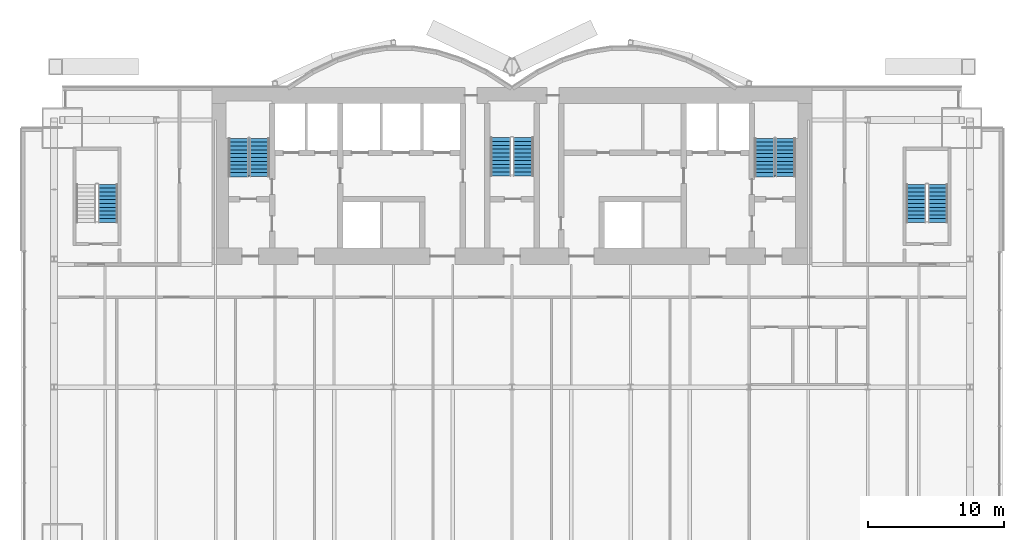
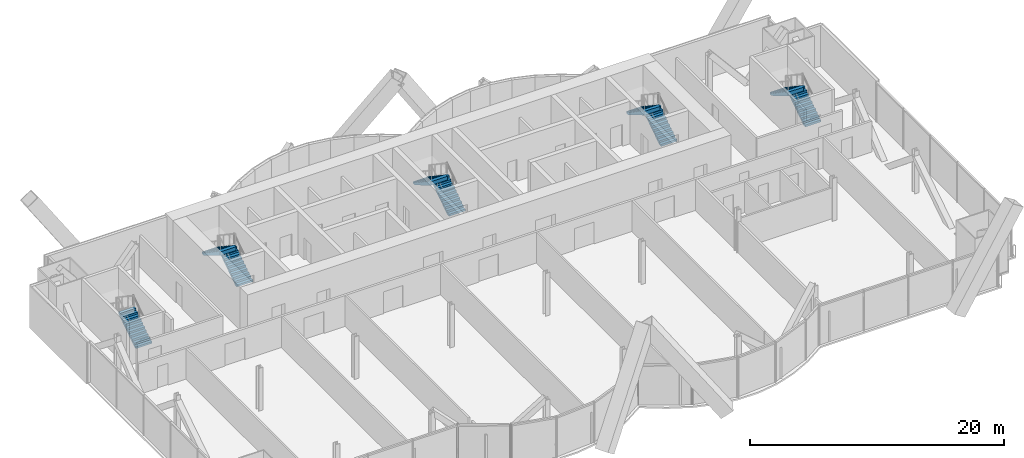
# One storey, part 18 of 21: 9 stair flights, 5 elements without a shape of their own.
"""IFC4 building model written with IfcOpenShell, lengths in metres."""

from ifc_helpers import new_model, si_unit, direction, frame, origin, place, context, subcontext, project, spatial, polyline, outline, extrude, material, type_object, element, aggregate, save


model = new_model("IFC4")

# Units and contexts
model_context = context("Model", 3, precision=1e-05, world=origin(), true_north=direction((0.0, 1.0)))
body_context = subcontext(model_context, "Body", "Model", "MODEL_VIEW")
ifc_project = project(units=[si_unit("LENGTHUNIT", "METRE"), si_unit("AREAUNIT", "SQUARE_METRE"), si_unit("VOLUMEUNIT", "CUBIC_METRE"), si_unit("PLANEANGLEUNIT", "RADIAN"), si_unit("MASSUNIT", "GRAM", prefix="KILO")], contexts=[model_context])

# Site, building, storey
site_placement = place(None, origin())
site = spatial("IfcSite", under=ifc_project, at=site_placement, CompositionType="ELEMENT")
building_placement = place(site_placement, origin())
building = spatial("IfcBuilding", under=site, at=building_placement, Name="Bicima Exchange Tower", CompositionType="ELEMENT")
storey_placement = place(building_placement, frame((0.0, 0.0, 130.89990234375)))
storey = spatial("IfcBuildingStorey", under=building, at=storey_placement, Name="L28", CompositionType="ELEMENT", Elevation=130.89990234375)

# Stair, stair flights
ifc_material = material(Name="Concrete C50/60", Category="concrete")
stair_type_1 = type_object("IfcStairType", Name="Exit stair", PredefinedType="HALF_TURN_STAIR", material=ifc_material)
stair_1_placement = place(storey_placement, origin())
stair_1 = element("IfcStair", 1, at=stair_1_placement, inside=storey, type_object=stair_type_1, Name="L28 West exit stair", PredefinedType="HALF_TURN_STAIR")
stair_flight_type_1 = type_object("IfcStairFlightType", Name="Stair flight RC", PredefinedType="STRAIGHT", material=ifc_material)
stair_flight_1_placement = place(storey_placement, frame((-18.52490234375, -6.550048828125, 0.0), z_axis=(0.0, 0.0, 1.0), x_axis=(0.0, 1.0, 0.0)))
stair_flight_1 = element("IfcStairFlight", 2, at=stair_flight_1_placement, type_object=stair_flight_type_1, Name="ST-W flight 1", NumberOfRisers=11, NumberOfTreads=10, PredefinedType="STRAIGHT", RiserHeight=0.186363636, TreadLength=0.28, context=body_context, shape_type="SweptSolid", body=[
    extrude(outline(polyline([(0.0, 0.0), (0.0, 0.186279296875), (0.280029296875, 0.186279296875), (0.280029296875, 0.372802734375), (0.56005859375, 0.372802734375), (0.56005859375, 0.55908203125), (0.840087890625, 0.55908203125), (0.840087890625, 0.745361328125), (1.1201171875, 0.745361328125), (1.1201171875, 0.931884765625), (1.39990234375, 0.931884765625), (1.39990234375, 1.1181640625), (1.679931640625, 1.1181640625), (1.679931640625, 1.304443359375), (1.9599609375, 1.304443359375), (1.9599609375, 1.490966796875), (2.239990234375, 1.490966796875), (2.239990234375, 1.67724609375), (2.52001953125, 1.67724609375), (2.52001953125, 1.863525390625), (2.800048828125, 1.863525390625), (2.800048828125, 2.050048828125), (2.800048828125, 1.68359375), (0.2705078125, 0.0), (0.0, 0.0)])), frame((0.0, 0.72509765625, 0.0), z_axis=(0.0, -1.0, 0.0), x_axis=(1.0, 0.0, 0.0)), (0.0, 0.0, 1.0), 1.449951171875),
])
stair_flight_2_placement = place(storey_placement, frame((-20.074951171875, -3.75, 2.050048828125), z_axis=(0.0, 0.0, 1.0), x_axis=(0.0, -1.0, 0.0)))
stair_flight_2 = element("IfcStairFlight", 3, at=stair_flight_2_placement, type_object=stair_flight_type_1, Name="ST-W flight 2", NumberOfRisers=11, NumberOfTreads=10, PredefinedType="STRAIGHT", RiserHeight=0.186363636, TreadLength=0.28, context=body_context, shape_type="SweptSolid", body=[
    extrude(outline(polyline([(0.0, 0.0), (0.0, 0.186279296875), (0.280029296875, 0.186279296875), (0.280029296875, 0.372802734375), (0.56005859375, 0.372802734375), (0.56005859375, 0.55908203125), (0.840087890625, 0.55908203125), (0.840087890625, 0.745361328125), (1.1201171875, 0.745361328125), (1.1201171875, 0.931884765625), (1.39990234375, 0.931884765625), (1.39990234375, 1.1181640625), (1.679931640625, 1.1181640625), (1.679931640625, 1.304443359375), (1.9599609375, 1.304443359375), (1.9599609375, 1.490966796875), (2.239990234375, 1.490966796875), (2.239990234375, 1.67724609375), (2.52001953125, 1.67724609375), (2.52001953125, 1.863525390625), (2.800048828125, 1.863525390625), (2.81494140625, 1.863525390625), (2.81494140625, 1.507080078125), (0.2705078125, 0.0), (0.0, 0.0)])), frame((0.0, 0.72509765625, 0.0), z_axis=(0.0, -1.0, 0.0), x_axis=(1.0, 0.0, 0.0)), (0.0, 0.0, 1.0), 1.449951171875),
])
aggregate(stair_1, [stair_flight_1, stair_flight_2])

stair_2_placement = place(storey_placement, origin())
stair_2 = element("IfcStair", 4, at=stair_2_placement, inside=storey, type_object=stair_type_1, Name="L28 East exit stair", PredefinedType="HALF_TURN_STAIR")
stair_flight_3_placement = place(storey_placement, frame((20.074951171875, -6.550048828125, 0.0), z_axis=(0.0, 0.0, 1.0), x_axis=(0.0, 1.0, 0.0)))
stair_flight_3 = element("IfcStairFlight", 5, at=stair_flight_3_placement, type_object=stair_flight_type_1, Name="ST-E flight 1", NumberOfRisers=11, NumberOfTreads=10, PredefinedType="STRAIGHT", RiserHeight=0.186363636, TreadLength=0.28, context=body_context, shape_type="SweptSolid", body=[
    extrude(outline(polyline([(0.0, 0.0), (0.0, 0.186279296875), (0.280029296875, 0.186279296875), (0.280029296875, 0.372802734375), (0.56005859375, 0.372802734375), (0.56005859375, 0.55908203125), (0.840087890625, 0.55908203125), (0.840087890625, 0.745361328125), (1.1201171875, 0.745361328125), (1.1201171875, 0.931884765625), (1.39990234375, 0.931884765625), (1.39990234375, 1.1181640625), (1.679931640625, 1.1181640625), (1.679931640625, 1.304443359375), (1.9599609375, 1.304443359375), (1.9599609375, 1.490966796875), (2.239990234375, 1.490966796875), (2.239990234375, 1.67724609375), (2.52001953125, 1.67724609375), (2.52001953125, 1.863525390625), (2.800048828125, 1.863525390625), (2.800048828125, 2.050048828125), (2.800048828125, 1.68359375), (0.2705078125, 0.0), (0.0, 0.0)])), frame((0.0, 0.72509765625, 0.0), z_axis=(0.0, -1.0, 0.0), x_axis=(1.0, 0.0, 0.0)), (0.0, 0.0, 1.0), 1.449951171875),
])
stair_flight_4_placement = place(storey_placement, frame((18.52490234375, -3.75, 2.050048828125), z_axis=(0.0, 0.0, 1.0), x_axis=(0.0, -1.0, 0.0)))
stair_flight_4 = element("IfcStairFlight", 6, at=stair_flight_4_placement, type_object=stair_flight_type_1, Name="ST-E flight 2", NumberOfRisers=11, NumberOfTreads=10, PredefinedType="STRAIGHT", RiserHeight=0.186363636, TreadLength=0.28, context=body_context, shape_type="SweptSolid", body=[
    extrude(outline(polyline([(0.0, 0.0), (0.0, 0.186279296875), (0.280029296875, 0.186279296875), (0.280029296875, 0.372802734375), (0.56005859375, 0.372802734375), (0.56005859375, 0.55908203125), (0.840087890625, 0.55908203125), (0.840087890625, 0.745361328125), (1.1201171875, 0.745361328125), (1.1201171875, 0.931884765625), (1.39990234375, 0.931884765625), (1.39990234375, 1.1181640625), (1.679931640625, 1.1181640625), (1.679931640625, 1.304443359375), (1.9599609375, 1.304443359375), (1.9599609375, 1.490966796875), (2.239990234375, 1.490966796875), (2.239990234375, 1.67724609375), (2.52001953125, 1.67724609375), (2.52001953125, 1.863525390625), (2.800048828125, 1.863525390625), (2.81494140625, 1.863525390625), (2.81494140625, 1.507080078125), (0.2705078125, 0.0), (0.0, 0.0)])), frame((0.0, 0.72509765625, 0.0), z_axis=(0.0, -1.0, 0.0), x_axis=(1.0, 0.0, 0.0)), (0.0, 0.0, 1.0), 1.449951171875),
])
aggregate(stair_2, [stair_flight_3, stair_flight_4])

# Stair, stair flight
stair_3_placement = place(storey_placement, origin())
stair_3 = element("IfcStair", 7, at=stair_3_placement, inside=storey, type_object=stair_type_1, Name="L28 West end exit stair", PredefinedType="HALF_TURN_STAIR")
stair_flight_5_placement = place(storey_placement, frame((-29.64990234375, -9.925048828125, 0.0), z_axis=(0.0, 0.0, 1.0), x_axis=(0.0, 1.0, 0.0)))
stair_flight_5 = element("IfcStairFlight", 8, at=stair_flight_5_placement, type_object=stair_flight_type_1, Name="ST-WW flight 1", NumberOfRisers=11, NumberOfTreads=10, PredefinedType="STRAIGHT", RiserHeight=0.186363636, TreadLength=0.28, context=body_context, shape_type="SweptSolid", body=[
    extrude(outline(polyline([(0.0, 0.0), (0.0, 0.186279296875), (0.280029296875, 0.186279296875), (0.280029296875, 0.372802734375), (0.56005859375, 0.372802734375), (0.56005859375, 0.55908203125), (0.840087890625, 0.55908203125), (0.840087890625, 0.745361328125), (1.1201171875, 0.745361328125), (1.1201171875, 0.931884765625), (1.39990234375, 0.931884765625), (1.39990234375, 1.1181640625), (1.679931640625, 1.1181640625), (1.679931640625, 1.304443359375), (1.9599609375, 1.304443359375), (1.9599609375, 1.490966796875), (2.239990234375, 1.490966796875), (2.239990234375, 1.67724609375), (2.52001953125, 1.67724609375), (2.52001953125, 1.863525390625), (2.800048828125, 1.863525390625), (2.800048828125, 2.050048828125), (2.800048828125, 1.68359375), (0.2705078125, 0.0), (0.0, 0.0)])), frame((0.0, 0.72509765625, 0.0), z_axis=(0.0, -1.0, 0.0), x_axis=(1.0, 0.0, 0.0)), (0.0, 0.0, 1.0), 1.449951171875),
])
aggregate(stair_3, [stair_flight_5])

# Stair, stair flights
stair_4_placement = place(storey_placement, origin())
stair_4 = element("IfcStair", 9, at=stair_4_placement, inside=storey, type_object=stair_type_1, Name="L28 East end exit stair", PredefinedType="HALF_TURN_STAIR")
stair_flight_6_placement = place(storey_placement, frame((31.25, -9.925048828125, 0.0), z_axis=(0.0, 0.0, 1.0), x_axis=(0.0, 1.0, 0.0)))
stair_flight_6 = element("IfcStairFlight", 10, at=stair_flight_6_placement, type_object=stair_flight_type_1, Name="ST-EE flight 1", NumberOfRisers=11, NumberOfTreads=10, PredefinedType="STRAIGHT", RiserHeight=0.186363636, TreadLength=0.28, context=body_context, shape_type="SweptSolid", body=[
    extrude(outline(polyline([(0.0, 0.0), (0.0, 0.186279296875), (0.280029296875, 0.186279296875), (0.280029296875, 0.372802734375), (0.56005859375, 0.372802734375), (0.56005859375, 0.55908203125), (0.840087890625, 0.55908203125), (0.840087890625, 0.745361328125), (1.1201171875, 0.745361328125), (1.1201171875, 0.931884765625), (1.39990234375, 0.931884765625), (1.39990234375, 1.1181640625), (1.679931640625, 1.1181640625), (1.679931640625, 1.304443359375), (1.9599609375, 1.304443359375), (1.9599609375, 1.490966796875), (2.239990234375, 1.490966796875), (2.239990234375, 1.67724609375), (2.52001953125, 1.67724609375), (2.52001953125, 1.863525390625), (2.800048828125, 1.863525390625), (2.800048828125, 2.050048828125), (2.800048828125, 1.68359375), (0.2705078125, 0.0), (0.0, 0.0)])), frame((0.0, 0.72509765625, 0.0), z_axis=(0.0, -1.0, 0.0), x_axis=(1.0, 0.0, 0.0)), (0.0, 0.0, 1.0), 1.449951171875),
])
stair_flight_7_placement = place(storey_placement, frame((29.64990234375, -7.125, 2.050048828125), z_axis=(0.0, 0.0, 1.0), x_axis=(0.0, -1.0, 0.0)))
stair_flight_7 = element("IfcStairFlight", 11, at=stair_flight_7_placement, type_object=stair_flight_type_1, Name="ST-EE flight 2", NumberOfRisers=11, NumberOfTreads=10, PredefinedType="STRAIGHT", RiserHeight=0.186363636, TreadLength=0.28, context=body_context, shape_type="SweptSolid", body=[
    extrude(outline(polyline([(0.0, 0.0), (0.0, 0.186279296875), (0.280029296875, 0.186279296875), (0.280029296875, 0.372802734375), (0.56005859375, 0.372802734375), (0.56005859375, 0.55908203125), (0.840087890625, 0.55908203125), (0.840087890625, 0.745361328125), (1.1201171875, 0.745361328125), (1.1201171875, 0.931884765625), (1.39990234375, 0.931884765625), (1.39990234375, 1.1181640625), (1.679931640625, 1.1181640625), (1.679931640625, 1.304443359375), (1.9599609375, 1.304443359375), (1.9599609375, 1.490966796875), (2.239990234375, 1.490966796875), (2.239990234375, 1.67724609375), (2.52001953125, 1.67724609375), (2.52001953125, 1.863525390625), (2.800048828125, 1.863525390625), (2.81494140625, 1.863525390625), (2.81494140625, 1.507080078125), (0.2705078125, 0.0), (0.0, 0.0)])), frame((0.0, 0.72509765625, 0.0), z_axis=(0.0, -1.0, 0.0), x_axis=(1.0, 0.0, 0.0)), (0.0, 0.0, 1.0), 1.449951171875),
])
aggregate(stair_4, [stair_flight_6, stair_flight_7])

stair_type_2 = type_object("IfcStairType", Name="Exit stair 1500", PredefinedType="HALF_TURN_STAIR", material=ifc_material)
stair_5_placement = place(storey_placement, origin())
stair_5 = element("IfcStair", 12, at=stair_5_placement, inside=storey, type_object=stair_type_2, Name="L28 Central exit stair", PredefinedType="HALF_TURN_STAIR")
stair_flight_type_2 = type_object("IfcStairFlightType", Name="Stair flight RC 1500", PredefinedType="STRAIGHT", material=ifc_material)
stair_flight_8_placement = place(storey_placement, frame((0.824951171875, -6.5, 0.0), z_axis=(0.0, 0.0, 1.0), x_axis=(0.0, 1.0, 0.0)))
stair_flight_8 = element("IfcStairFlight", 13, at=stair_flight_8_placement, type_object=stair_flight_type_2, Name="ST-C flight 1", NumberOfRisers=11, NumberOfTreads=10, PredefinedType="STRAIGHT", RiserHeight=0.186363636, TreadLength=0.28, context=body_context, shape_type="SweptSolid", body=[
    extrude(outline(polyline([(0.0, 0.0), (0.0, 0.186279296875), (0.280029296875, 0.186279296875), (0.280029296875, 0.372802734375), (0.56005859375, 0.372802734375), (0.56005859375, 0.55908203125), (0.840087890625, 0.55908203125), (0.840087890625, 0.745361328125), (1.1201171875, 0.745361328125), (1.1201171875, 0.931884765625), (1.39990234375, 0.931884765625), (1.39990234375, 1.1181640625), (1.679931640625, 1.1181640625), (1.679931640625, 1.304443359375), (1.9599609375, 1.304443359375), (1.9599609375, 1.490966796875), (2.239990234375, 1.490966796875), (2.239990234375, 1.67724609375), (2.52001953125, 1.67724609375), (2.52001953125, 1.863525390625), (2.800048828125, 1.863525390625), (2.800048828125, 2.050048828125), (2.800048828125, 1.68359375), (0.2705078125, 0.0), (0.0, 0.0)])), frame((0.0, 0.75, 0.0), z_axis=(0.0, -1.0, 0.0), x_axis=(1.0, 0.0, 0.0)), (0.0, 0.0, 1.0), 1.5),
])
stair_flight_9_placement = place(storey_placement, frame((-0.824951171875, -3.699951171875, 2.050048828125), z_axis=(0.0, 0.0, 1.0), x_axis=(0.0, -1.0, 0.0)))
stair_flight_9 = element("IfcStairFlight", 14, at=stair_flight_9_placement, type_object=stair_flight_type_2, Name="ST-C flight 2", NumberOfRisers=11, NumberOfTreads=10, PredefinedType="STRAIGHT", RiserHeight=0.186363636, TreadLength=0.28, context=body_context, shape_type="SweptSolid", body=[
    extrude(outline(polyline([(0.0, 0.0), (0.0, 0.186279296875), (0.280029296875, 0.186279296875), (0.280029296875, 0.372802734375), (0.56005859375, 0.372802734375), (0.56005859375, 0.55908203125), (0.840087890625, 0.55908203125), (0.840087890625, 0.745361328125), (1.1201171875, 0.745361328125), (1.1201171875, 0.931884765625), (1.39990234375, 0.931884765625), (1.39990234375, 1.1181640625), (1.679931640625, 1.1181640625), (1.679931640625, 1.304443359375), (1.9599609375, 1.304443359375), (1.9599609375, 1.490966796875), (2.239990234375, 1.490966796875), (2.239990234375, 1.67724609375), (2.52001953125, 1.67724609375), (2.52001953125, 1.863525390625), (2.800048828125, 1.863525390625), (2.81494140625, 1.863525390625), (2.81494140625, 1.507080078125), (0.2705078125, 0.0), (0.0, 0.0)])), frame((0.0, 0.75, 0.0), z_axis=(0.0, -1.0, 0.0), x_axis=(1.0, 0.0, 0.0)), (0.0, 0.0, 1.0), 1.5),
])
aggregate(stair_5, [stair_flight_8, stair_flight_9])

save(model, "model.ifc")
